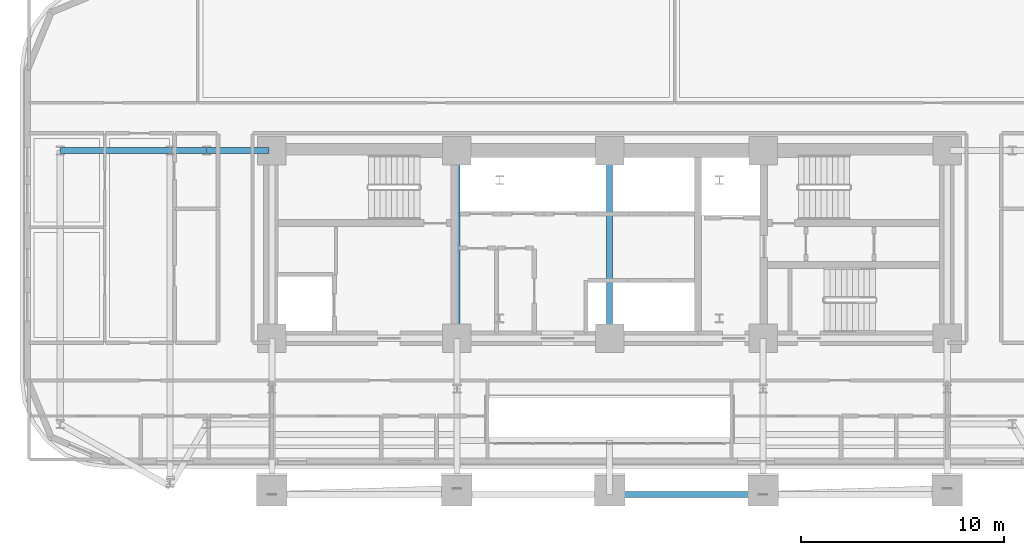
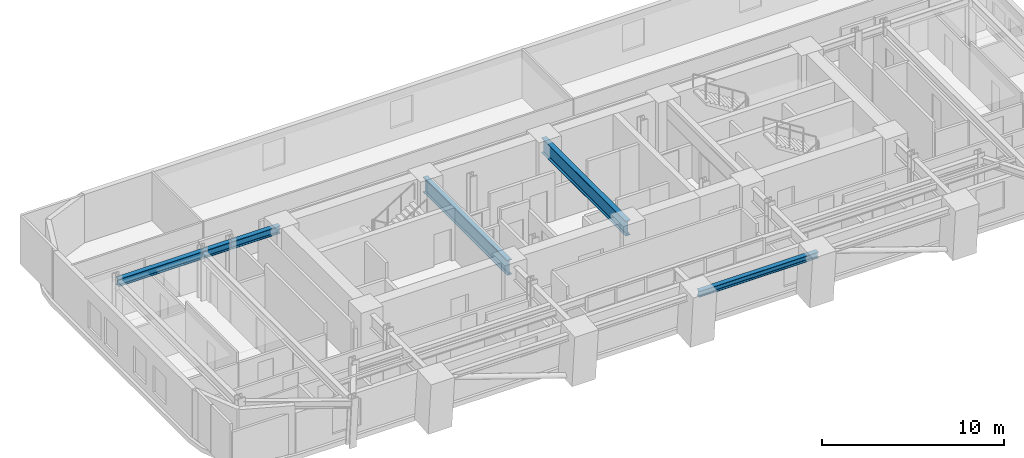
# One storey, part 4 of 16: 6 beams.
"""IFC4 building model written with IfcOpenShell, lengths in metres."""

from ifc_helpers import new_model, si_unit, direction, frame, origin, origin_2d, place, context, subcontext, project, spatial, i_section, extrude, material, material_profile, profile_set, type_object, element, save


model = new_model("IFC4")

# Units and contexts
model_context = context("Model", 3, precision=1e-05, world=origin(), true_north=direction((0.0, 1.0)))
body_context = subcontext(model_context, "Body", "Model", "MODEL_VIEW")
ifc_project = project(units=[si_unit("LENGTHUNIT", "METRE"), si_unit("AREAUNIT", "SQUARE_METRE"), si_unit("VOLUMEUNIT", "CUBIC_METRE"), si_unit("PLANEANGLEUNIT", "RADIAN"), si_unit("MASSUNIT", "GRAM", prefix="KILO")], contexts=[model_context])

# Site, building, storey
site_placement = place(None, origin())
site = spatial("IfcSite", under=ifc_project, at=site_placement, CompositionType="ELEMENT")
building_placement = place(site_placement, origin())
building = spatial("IfcBuilding", under=site, at=building_placement, Name="Zarnavel Station Tower", CompositionType="ELEMENT")
storey_placement = place(building_placement, frame((0.0, 0.0, 64.0)))
storey = spatial("IfcBuildingStorey", under=building, at=storey_placement, Name="L17", CompositionType="ELEMENT", Elevation=64.0)

# Beams
ifc_material_1 = material(Name="Steel S355J2", Category="steel")
ifc_material_profile_1 = material_profile(ifc_material_1, i_section(OverallWidth=0.300048828125, OverallDepth=0.39990234375, WebThickness=0.013427734375, FlangeThickness=0.02392578125, FilletRadius=0.027099609375, at=origin_2d()), Name="HEB400")
ifc_profile_set_1 = profile_set([ifc_material_profile_1], Name="Steel S355J2")
beam_type_1 = type_object("IfcBeamType", Name="EB_HEB400", PredefinedType="SPANDREL", material=ifc_profile_set_1)
beam_1_placement = place(storey_placement, frame((28.800048828125, 20.134765625, 3.0400390625), z_axis=(1.0, 0.0, 0.0), x_axis=(0.0, 1.0, 0.0)))
element("IfcBeam", 1, at=beam_1_placement, inside=storey, type_object=beam_type_1, Name="L17 South Raked Spandrel 3", PredefinedType="SPANDREL", context=body_context, shape_type="SweptSolid", body=[
    extrude(i_section(OverallWidth=0.300048828125, OverallDepth=0.39990234375, WebThickness=0.013427734375, FlangeThickness=0.02392578125, FilletRadius=0.027099609375, at=origin_2d()), origin(), (0.0, 0.0, 1.0), 7.550048828125),
])
ifc_material_2 = material(Name="Steel S355J2", Category="steel")
ifc_material_profile_2 = material_profile(ifc_material_2, i_section(OverallWidth=0.300048828125, OverallDepth=0.5, WebThickness=0.014404296875, FlangeThickness=0.028076171875, FilletRadius=0.027099609375, at=origin_2d()), Name="HEB500")
ifc_profile_set_2 = profile_set([ifc_material_profile_2], Name="Steel S355J2")
beam_type_2 = type_object("IfcBeamType", Name="FG_HEB500", PredefinedType="USERDEFINED", material=ifc_profile_set_2)
beam_2_placement = place(storey_placement, frame((1.800048828125, 37.050048828125, 2.989990234375), z_axis=(1.0, 0.0, 0.0), x_axis=(0.0, 1.0, 0.0)))
element("IfcBeam", 2, at=beam_2_placement, inside=storey, type_object=beam_type_2, Name="L17 West Wing North Tie 1", ObjectType="GIRDER", PredefinedType="USERDEFINED", context=body_context, shape_type="SweptSolid", body=[
    extrude(i_section(OverallWidth=0.300048828125, OverallDepth=0.5, WebThickness=0.014404296875, FlangeThickness=0.028076171875, FilletRadius=0.027099609375, at=origin_2d()), origin(), (0.0, 0.0, 1.0), 5.39990234375),
])
beam_3_placement = place(storey_placement, frame((7.199951171875, 37.050048828125, 2.989990234375), z_axis=(1.0, 0.0, 0.0), x_axis=(0.0, 1.0, 0.0)))
element("IfcBeam", 3, at=beam_3_placement, inside=storey, type_object=beam_type_2, Name="L17 West Wing North Tie 2", ObjectType="GIRDER", PredefinedType="USERDEFINED", context=body_context, shape_type="SweptSolid", body=[
    extrude(i_section(OverallWidth=0.300048828125, OverallDepth=0.5, WebThickness=0.014404296875, FlangeThickness=0.028076171875, FilletRadius=0.027099609375, at=origin_2d()), origin(), (0.0, 0.0, 1.0), 1.800048828125),
])
beam_4_placement = place(storey_placement, frame((9.0, 37.050048828125, 2.989990234375), z_axis=(1.0, 0.0, 0.0), x_axis=(0.0, 1.0, 0.0)))
element("IfcBeam", 4, at=beam_4_placement, inside=storey, type_object=beam_type_2, Name="L17 West Wing North Tie 3", ObjectType="GIRDER", PredefinedType="USERDEFINED", context=body_context, shape_type="SweptSolid", body=[
    extrude(i_section(OverallWidth=0.300048828125, OverallDepth=0.5, WebThickness=0.014404296875, FlangeThickness=0.028076171875, FilletRadius=0.027099609375, at=origin_2d()), origin(), (0.0, 0.0, 1.0), 3.054931640625),
])
ifc_material_3 = material(Name="Steel S460M", Category="steel")
ifc_material_profile_3 = material_profile(ifc_material_3, i_section(OverallWidth=0.302001953125, OverallDepth=1.008056640625, WebThickness=0.02099609375, FlangeThickness=0.0400390625, FilletRadius=0.030029296875, at=origin_2d()), Name="HEM1000")
ifc_profile_set_3 = profile_set([ifc_material_profile_3], Name="Steel S460M")
beam_type_3 = type_object("IfcBeamType", Name="TG_HEM1000", PredefinedType="USERDEFINED", material=ifc_profile_set_3)
for number, where, z_axis, x_axis, name in (
    (5, (21.300048828125, 27.820068359375, 2.736083984375), (0.0, 1.0, 0.0), (-1.0, 0.0, 0.0), "L17 Core Spine Coupling Girder 2"),
    (6, (28.800048828125, 27.820068359375, 2.736083984375), (0.0, 1.0, 0.0), (-1.0, 0.0, 0.0), "L17 Core Spine Coupling Girder 3"),
):
    element("IfcBeam", number, at=place(storey_placement, frame(where, z_axis=z_axis, x_axis=x_axis)), inside=storey, type_object=beam_type_3, Name=name, ObjectType="GIRDER", PredefinedType="USERDEFINED", context=body_context, shape_type="SweptSolid", body=[
        extrude(i_section(OverallWidth=0.302001953125, OverallDepth=1.008056640625, WebThickness=0.02099609375, FlangeThickness=0.0400390625, FilletRadius=0.030029296875, at=origin_2d()), origin(), (0.0, 0.0, 1.0), 9.22998046875),
    ])

save(model, "model.ifc")
